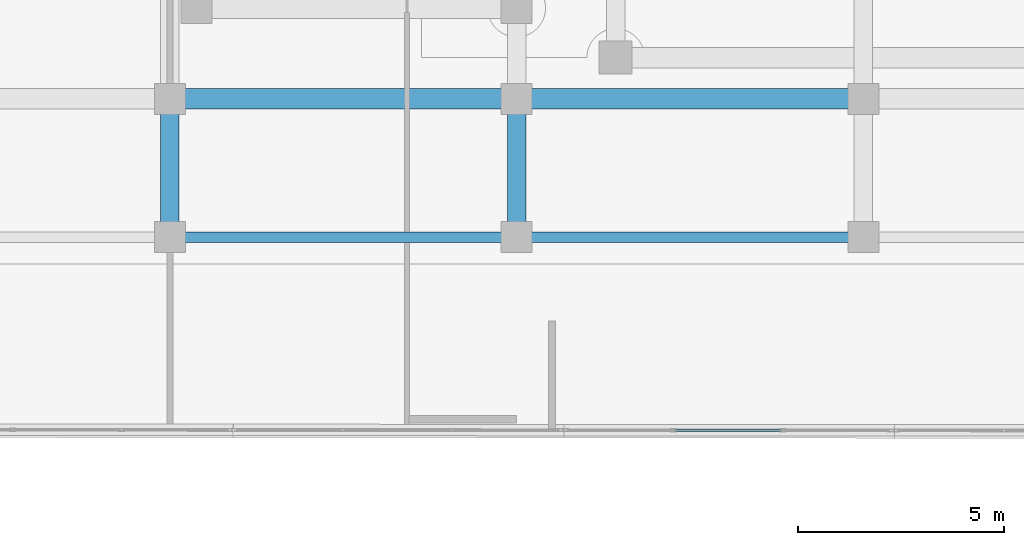
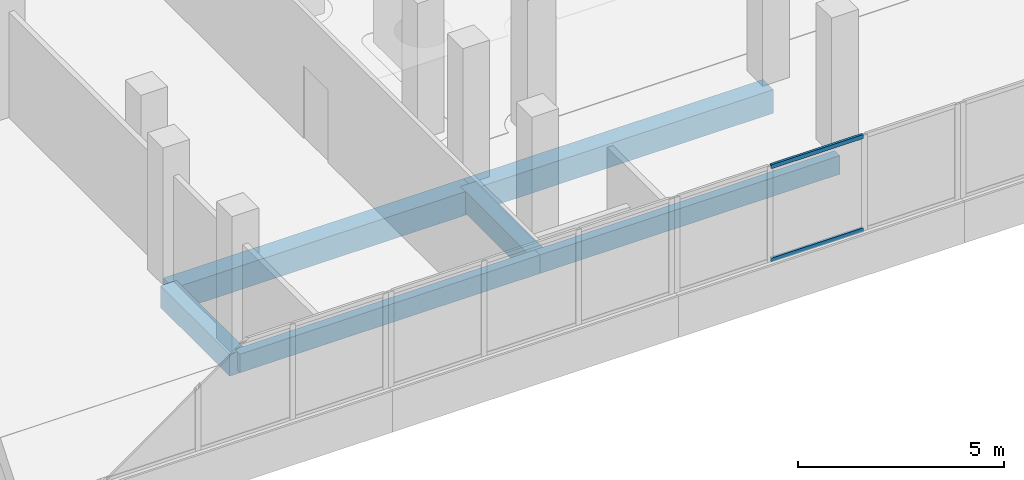
# One storey, part 30 of 101: 6 beams, 2 members, 1 element without a shape of its own.
"""IFC4 building model written with IfcOpenShell, lengths in metres."""

from ifc_helpers import new_model, si_unit, direction, frame, origin, origin_2d, place, context, subcontext, project, spatial, rectangle, hollow_rectangle, extrude, material, material_profile, profile_set, type_object, element, aggregate, save


model = new_model("IFC4")

# Units and contexts
model_context = context("Model", 3, precision=1e-05, world=origin(), true_north=direction((0.0, 1.0)))
body_context = subcontext(model_context, "Body", "Model", "MODEL_VIEW")
ifc_project = project(units=[si_unit("LENGTHUNIT", "METRE"), si_unit("AREAUNIT", "SQUARE_METRE"), si_unit("VOLUMEUNIT", "CUBIC_METRE"), si_unit("PLANEANGLEUNIT", "RADIAN"), si_unit("MASSUNIT", "GRAM", prefix="KILO")], contexts=[model_context])

# Site, building, storey
site_placement = place(None, origin())
site = spatial("IfcSite", under=ifc_project, at=site_placement, CompositionType="ELEMENT")
building_placement = place(site_placement, origin())
building = spatial("IfcBuilding", under=site, at=building_placement, Name="Selatvlak General Hospital", CompositionType="ELEMENT")
storey_placement = place(building_placement, frame((0.0, 0.0, 19.199951171875)))
storey = spatial("IfcBuildingStorey", under=building, at=storey_placement, Name="L04", CompositionType="ELEMENT", Elevation=19.199951171875)

# Beams
ifc_material_1 = material(Name="Concrete C40/50", Category="concrete")
ifc_material_profile_1 = material_profile(ifc_material_1, rectangle(XDim=0.5, YDim=0.699951171875, at=origin_2d()), Name="RC-BM 500x700")
ifc_profile_set_1 = profile_set([ifc_material_profile_1], Name="Concrete C40/50")
beam_type_1 = type_object("IfcBeamType", Name="BM-G03", PredefinedType="BEAM", material=ifc_profile_set_1)
beam_1_placement = place(storey_placement, frame((48.0, 92.0, -0.655029296875), z_axis=(1.0, 0.0, 0.0), x_axis=(0.0, 1.0, 0.0)))
element("IfcBeam", 1, at=beam_1_placement, inside=storey, type_object=beam_type_1, Name="Beam BMR-L04-1558", PredefinedType="BEAM", context=body_context, shape_type="SweptSolid", body=[
    extrude(rectangle(XDim=0.5, YDim=0.699951171875, at=origin_2d()), origin(), (0.0, 0.0, 1.0), 8.39990234375),
])
beam_2_placement = place(storey_placement, frame((56.39990234375, 92.0, -0.655029296875), z_axis=(1.0, 0.0, 0.0), x_axis=(0.0, 1.0, 0.0)))
element("IfcBeam", 2, at=beam_2_placement, inside=storey, type_object=beam_type_1, Name="Beam BMR-L04-1559", PredefinedType="BEAM", context=body_context, shape_type="SweptSolid", body=[
    extrude(rectangle(XDim=0.5, YDim=0.699951171875, at=origin_2d()), origin(), (0.0, 0.0, 1.0), 8.400146484375),
])
ifc_material_profile_2 = material_profile(ifc_material_1, rectangle(XDim=0.449951171875, YDim=0.64990234375, at=origin_2d()), Name="RC-BM 450x650")
ifc_profile_set_2 = profile_set([ifc_material_profile_2], Name="Concrete C40/50")
beam_type_2 = type_object("IfcBeamType", Name="BM-G04", PredefinedType="BEAM", material=ifc_profile_set_2)
for number, where, z_axis, x_axis, name in (
    (3, (48.0, 88.64990234375, -0.6298828125), (0.0, 1.0, 0.0), (-1.0, 0.0, 0.0), "Beam BMR-L04-1658"),
    (4, (56.39990234375, 88.64990234375, -0.6298828125), (0.0, 1.0, 0.0), (-1.0, 0.0, 0.0), "Beam BMR-L04-1662"),
):
    element("IfcBeam", number, at=place(storey_placement, frame(where, z_axis=z_axis, x_axis=x_axis)), inside=storey, type_object=beam_type_2, Name=name, PredefinedType="BEAM", context=body_context, shape_type="SweptSolid", body=[
        extrude(rectangle(XDim=0.449951171875, YDim=0.64990234375, at=origin_2d()), origin(), (0.0, 0.0, 1.0), 3.35009765625),
    ])
ifc_material_profile_3 = material_profile(ifc_material_1, rectangle(XDim=0.25, YDim=0.550048828125, at=origin_2d()), Name="RC-SP 250x550")
ifc_profile_set_3 = profile_set([ifc_material_profile_3], Name="Concrete C40/50")
beam_type_3 = type_object("IfcBeamType", Name="BM-SP2", PredefinedType="SPANDREL", material=ifc_profile_set_3)
beam_3_placement = place(storey_placement, frame((48.0, 88.64990234375, -0.579833984375), z_axis=(1.0, 0.0, 0.0), x_axis=(0.0, 1.0, 0.0)))
element("IfcBeam", 5, at=beam_3_placement, inside=storey, type_object=beam_type_3, Name="Beam BMR-L04-1538", PredefinedType="SPANDREL", context=body_context, shape_type="SweptSolid", body=[
    extrude(rectangle(XDim=0.25, YDim=0.550048828125, at=origin_2d()), origin(), (0.0, 0.0, 1.0), 8.39990234375),
])
beam_4_placement = place(storey_placement, frame((56.39990234375, 88.64990234375, -0.579833984375), z_axis=(1.0, 0.0, 0.0), x_axis=(0.0, 1.0, 0.0)))
element("IfcBeam", 6, at=beam_4_placement, inside=storey, type_object=beam_type_3, Name="Beam BMR-L04-1539", PredefinedType="SPANDREL", context=body_context, shape_type="SweptSolid", body=[
    extrude(rectangle(XDim=0.25, YDim=0.550048828125, at=origin_2d()), origin(), (0.0, 0.0, 1.0), 8.400146484375),
])

# Curtain wall, members
ifc_material_2 = material(Name="Solar-control Low-E double glazing", Category="glass")
curtain_wall_type = type_object("IfcCurtainWallType", Name="CW-CW-02", PredefinedType="USERDEFINED", material=ifc_material_2)
curtain_wall_placement = place(storey_placement, origin())
curtain_wall = element("IfcCurtainWall", 7, at=curtain_wall_placement, inside=storey, type_object=curtain_wall_type, Name="Glazed facade curtain wall CW-L04-0513", ObjectType="UNITISED CURTAIN WALL", PredefinedType="USERDEFINED")
ifc_material_3 = material(Name="Dark anodised aluminium mullion", Category="aluminium")
ifc_material_profile_4 = material_profile(ifc_material_3, hollow_rectangle(XDim=0.06494140625, YDim=0.1201171875, WallThickness=0.00390625, at=origin_2d()), Name="AL-TRN 65x120x4")
ifc_profile_set_4 = profile_set([ifc_material_profile_4], Name="Dark anodised aluminium mullion")
member_type = type_object("IfcMemberType", Name="CWT-01", PredefinedType="USERDEFINED", material=ifc_profile_set_4)
member_1_placement = place(storey_placement, frame((62.811767578125, 83.9736328125, 0.97265625), z_axis=(-0.999999780213, 0.000663004211, 0.0), x_axis=(-0.000663004211, -0.999999780213, 0.0)))
member_1 = element("IfcMember", 8, at=member_1_placement, type_object=member_type, Name="CW-02 transom 2.1", ObjectType="TRANSOM", PredefinedType="USERDEFINED", context=body_context, shape_type="SweptSolid", body=[
    extrude(hollow_rectangle(XDim=0.06494140625, YDim=0.1201171875, WallThickness=0.00390625, at=origin_2d()), origin(), (0.0, 0.0, 1.0), 2.57763671875),
])
member_2_placement = place(storey_placement, frame((62.811767578125, 83.9736328125, 3.737548828125), z_axis=(-0.999999780213, 0.000663004211, 0.0), x_axis=(-0.000663004211, -0.999999780213, 0.0)))
member_2 = element("IfcMember", 9, at=member_2_placement, type_object=member_type, Name="CW-02 transom 2.2", ObjectType="TRANSOM", PredefinedType="USERDEFINED", context=body_context, shape_type="SweptSolid", body=[
    extrude(hollow_rectangle(XDim=0.06494140625, YDim=0.1201171875, WallThickness=0.00390625, at=origin_2d()), origin(), (0.0, 0.0, 1.0), 2.57763671875),
])
aggregate(curtain_wall, [member_1, member_2])

save(model, "model.ifc")
